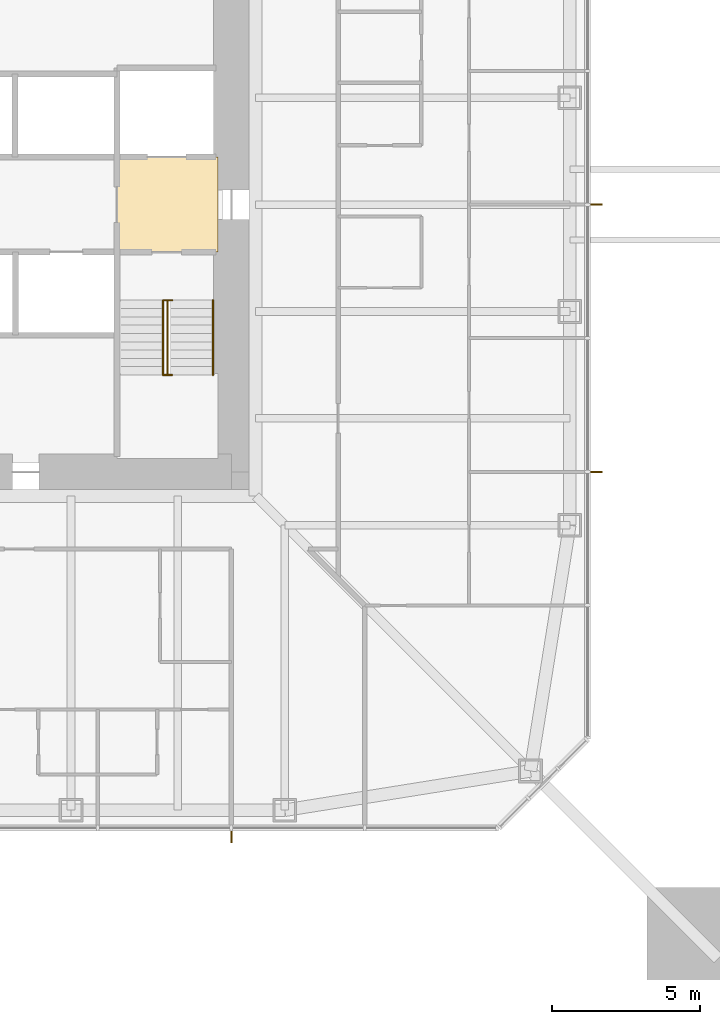
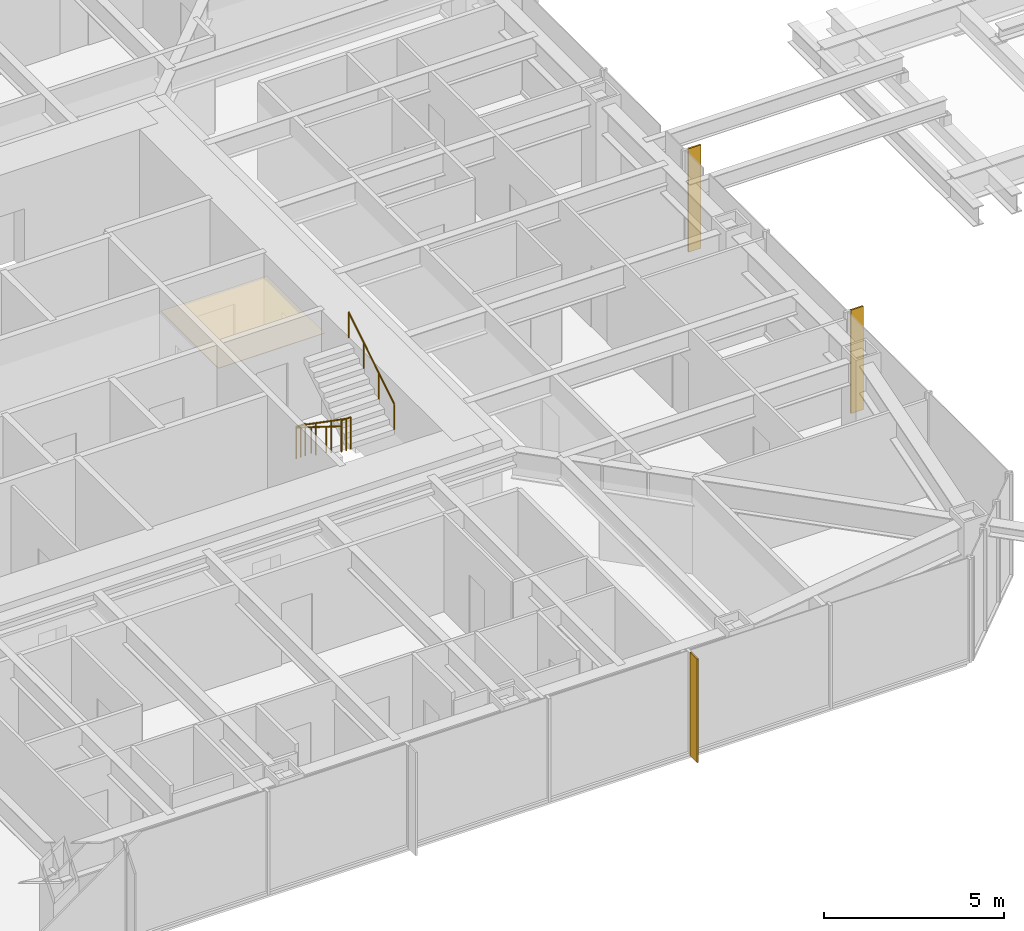
# One storey, part 25 of 27: 3 railings, 3 shading devices, 1 covering.
"""IFC4 building model written with IfcOpenShell, lengths in metres."""

from ifc_helpers import new_model, si_unit, direction, frame, origin, origin_2d, place, context, subcontext, project, spatial, polyline, rectangle, circle, outline, extrude, material, layer, layer_set, constituent, constituent_set, type_object, element, save


model = new_model("IFC4")

# Units and contexts
model_context = context("Model", 3, precision=1e-05, world=origin(), true_north=direction((0.0, 1.0)))
body_context = subcontext(model_context, "Body", "Model", "MODEL_VIEW")
ifc_project = project(units=[si_unit("LENGTHUNIT", "METRE"), si_unit("AREAUNIT", "SQUARE_METRE"), si_unit("VOLUMEUNIT", "CUBIC_METRE"), si_unit("PLANEANGLEUNIT", "RADIAN"), si_unit("MASSUNIT", "GRAM", prefix="KILO")], contexts=[model_context])

# Site, building, storey
site_placement = place(None, origin())
site = spatial("IfcSite", under=ifc_project, at=site_placement, CompositionType="ELEMENT")
building_placement = place(site_placement, origin())
building = spatial("IfcBuilding", under=site, at=building_placement, Name="Iwan Alto Co-Living Towers", CompositionType="ELEMENT")
storey_placement = place(building_placement, frame((0.0, 0.0, 94.5)))
storey = spatial("IfcBuildingStorey", under=building, at=storey_placement, Name="L25", CompositionType="ELEMENT", Elevation=94.5)

# Covering
ifc_material_1 = material(Name="Mineral fibre acoustic tiles on steel grid", Category="steel")
ifc_layer_1 = layer(ifc_material_1, 0.02001953125)
ifc_layer_set_1 = layer_set([ifc_layer_1], Name="ACOUSTIC TILE CEILING 20")
covering_type = type_object("IfcCoveringType", Name="ACOUSTIC TILE CEILING 20", PredefinedType="CEILING", material=ifc_layer_set_1)
covering_placement = place(storey_placement, frame((0.0, 0.0, 2.60009765625)))
element("IfcCovering", 1, at=covering_placement, inside=storey, type_object=covering_type, Name="Ceiling Firefighting lobby L25", PredefinedType="CEILING", context=body_context, shape_type="SweptSolid", body=[
    extrude(outline(polyline([(5.14990234375, -1.60009765625), (5.14990234375, 1.60009765625), (8.550048828125, 1.60009765625), (8.550048828125, -1.60009765625), (5.14990234375, -1.60009765625)])), origin(), (0.0, 0.0, 1.0), 0.02001953125),
])

# Shading devices
ifc_material_2 = material(Name="Aluminium 6063-T6 bronze anodised", Category="aluminium")
ifc_layer_2 = layer(ifc_material_2, 0.050048828125)
ifc_layer_set_2 = layer_set([ifc_layer_2], Name="BRONZE FIN 50X400")
shading_device_type = type_object("IfcShadingDeviceType", Name="BRONZE FIN 50X400", PredefinedType="USERDEFINED", material=ifc_layer_set_2)
for number, where, z_axis, x_axis, name in (
    (2, (9.0, -21.300048828125, 0.0), (0.0, 0.0, 1.0), (1.0, 0.0, 0.0), "Bronze fin L25"),
    (3, (21.300048828125, -9.0, 0.0), (0.0, 0.0, 1.0), (0.0, 1.0, 0.0), "Bronze fin L25"),
    (4, (21.300048828125, 0.0, 0.0), (0.0, 0.0, 1.0), (0.0, 1.0, 0.0), "Bronze fin L25"),
):
    element("IfcShadingDevice", number, at=place(storey_placement, frame(where, z_axis=z_axis, x_axis=x_axis)), inside=storey, type_object=shading_device_type, Name=name, ObjectType="LOUVER", PredefinedType="USERDEFINED", context=body_context, shape_type="SweptSolid", body=[
        extrude(rectangle(XDim=0.050048828125, YDim=0.39990234375, at=origin_2d()), origin(), (0.0, 0.0, 1.0), 3.5),
    ])

# Railings
ifc_material_3 = material(Name="Steel ASTM A500 Gr C", Category="steel")
ifc_constituent_1 = constituent(ifc_material_3, Name="Rails and posts", Category="Framing")
ifc_material_4 = material(Name="Steel ASTM A36", Category="steel")
ifc_constituent_2 = constituent(ifc_material_4, Name="Bar infill", Category="Infill")
ifc_constituent_set = constituent_set(constituents=[ifc_constituent_1, ifc_constituent_2], Name="STAIR GUARD 1100")
railing_type_1 = type_object("IfcRailingType", Name="STAIR GUARD 1100", PredefinedType="GUARDRAIL", material=ifc_constituent_set)
railing_1_placement = place(storey_placement, frame((6.85009765625, -3.219970703125, 0.0)))
element("IfcRailing", 5, at=railing_1_placement, inside=storey, type_object=railing_type_1, Name="Stair T1-S2 well guard L25", PredefinedType="GUARDRAIL", context=body_context, shape_type="SweptSolid", body=[
    extrude(circle(Radius=0.02392578125, at=origin_2d()), frame((0.0, 0.0, 1.076171875), z_axis=(0.0, -0.821372036852, 0.570392826987), x_axis=(1.0, 0.0, 0.0)), (0.0, 0.0, 1.0), 3.068115234375),
    extrude(circle(Radius=0.02392578125, at=origin_2d()), frame((-0.150146484375, 0.0, 1.076171875), z_axis=(1.0, 0.0, 0.0), x_axis=(0.0, 1.0, 0.0)), (0.0, 0.0, 1.0), 0.300048828125),
    extrude(circle(Radius=0.02392578125, at=origin_2d()), frame((-0.150146484375, -2.52001953125, 2.826171875), z_axis=(1.0, 0.0, 0.0), x_axis=(0.0, 1.0, 0.0)), (0.0, 0.0, 1.0), 0.300048828125),
    extrude(circle(Radius=0.02099609375, at=origin_2d()), origin(), (0.0, 0.0, 1.0), 1.052001953125),
    extrude(circle(Radius=0.02099609375, at=origin_2d()), frame((0.0, -0.840087890625, 0.583251953125)), (0.0, 0.0, 1.0), 1.052001953125),
    extrude(circle(Radius=0.02099609375, at=origin_2d()), frame((0.0, -1.679931640625, 1.166748046875)), (0.0, 0.0, 1.0), 1.052001953125),
    extrude(circle(Radius=0.02099609375, at=origin_2d()), frame((0.0, -2.52001953125, 1.75)), (0.0, 0.0, 1.0), 1.052001953125),
    extrude(circle(Radius=0.02099609375, at=origin_2d()), frame((-0.150146484375, 0.0, 0.0)), (0.0, 0.0, 1.0), 1.052001953125),
    extrude(circle(Radius=0.02099609375, at=origin_2d()), frame((0.14990234375, 0.0, 0.0)), (0.0, 0.0, 1.0), 1.052001953125),
    extrude(circle(Radius=0.02099609375, at=origin_2d()), frame((-0.150146484375, -2.52001953125, 1.75)), (0.0, 0.0, 1.0), 1.052001953125),
    extrude(circle(Radius=0.02099609375, at=origin_2d()), frame((0.14990234375, -2.52001953125, 1.75)), (0.0, 0.0, 1.0), 1.052001953125),
])
ifc_material_5 = material(Name="Steel ASTM A500 Gr C", Category="steel")
railing_type_2 = type_object("IfcRailingType", Name="STAIR HANDRAIL 900", PredefinedType="HANDRAIL", material=ifc_material_5)
railing_2_placement = place(storey_placement, frame((6.699951171875, -3.219970703125, 0.175048828125)))
element("IfcRailing", 6, at=railing_2_placement, inside=storey, type_object=railing_type_2, Name="Stair T1-S2 handrail 1 L25", PredefinedType="HANDRAIL", context=body_context, shape_type="SweptSolid", body=[
    extrude(circle(Radius=0.02392578125, at=origin_2d()), frame((0.0, 0.0, 0.8759765625), z_axis=(0.0, -0.848007534815, 0.529984170421), x_axis=(1.0, 0.0, 0.0)), (0.0, 0.0, 1.0), 2.9716796875),
    extrude(circle(Radius=0.02099609375, at=origin_2d()), origin(), (0.0, 0.0, 1.0), 0.851806640625),
    extrude(circle(Radius=0.02099609375, at=origin_2d()), frame((0.0, -0.840087890625, 0.52490234375)), (0.0, 0.0, 1.0), 0.851806640625),
    extrude(circle(Radius=0.02099609375, at=origin_2d()), frame((0.0, -1.679931640625, 1.050048828125)), (0.0, 0.0, 1.0), 0.851806640625),
    extrude(circle(Radius=0.02099609375, at=origin_2d()), frame((0.0, -2.52001953125, 1.574951171875)), (0.0, 0.0, 1.0), 0.851806640625),
])
railing_3_placement = place(storey_placement, frame((8.3798828125, -5.739990234375, 1.925048828125)))
element("IfcRailing", 7, at=railing_3_placement, inside=storey, type_object=railing_type_2, Name="Stair T1-S2 handrail 2 L25", PredefinedType="HANDRAIL", context=body_context, shape_type="SweptSolid", body=[
    extrude(circle(Radius=0.02392578125, at=origin_2d()), frame((0.0, 0.0, 0.8759765625), z_axis=(0.0, 0.848007534815, 0.529984170421), x_axis=(-1.0, 0.0, 0.0)), (0.0, 0.0, 1.0), 2.9716796875),
    extrude(circle(Radius=0.02099609375, at=origin_2d()), origin(), (0.0, 0.0, 1.0), 0.851806640625),
    extrude(circle(Radius=0.02099609375, at=origin_2d()), frame((0.0, 0.840087890625, 0.52490234375)), (0.0, 0.0, 1.0), 0.851806640625),
    extrude(circle(Radius=0.02099609375, at=origin_2d()), frame((0.0, 1.679931640625, 1.050048828125)), (0.0, 0.0, 1.0), 0.851806640625),
    extrude(circle(Radius=0.02099609375, at=origin_2d()), frame((0.0, 2.52001953125, 1.574951171875)), (0.0, 0.0, 1.0), 0.851806640625),
])

save(model, "model.ifc")
